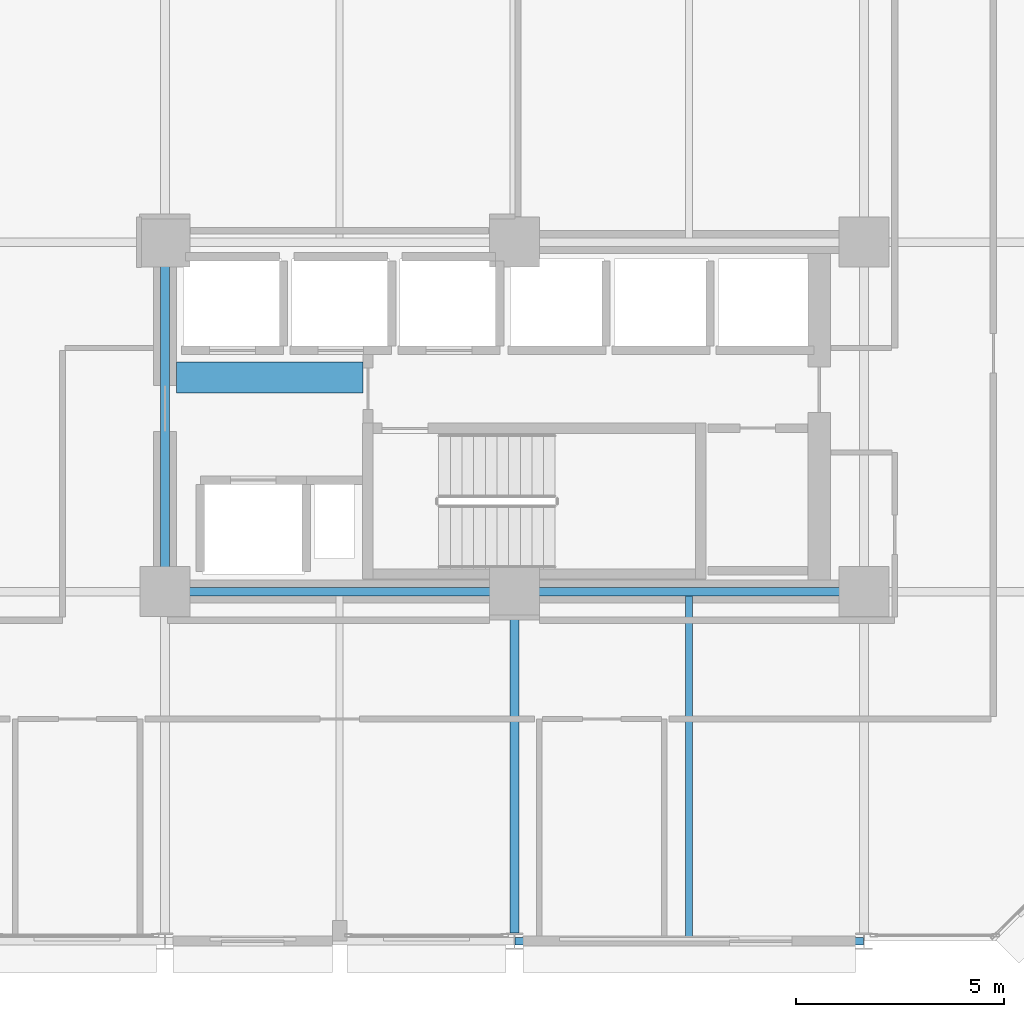
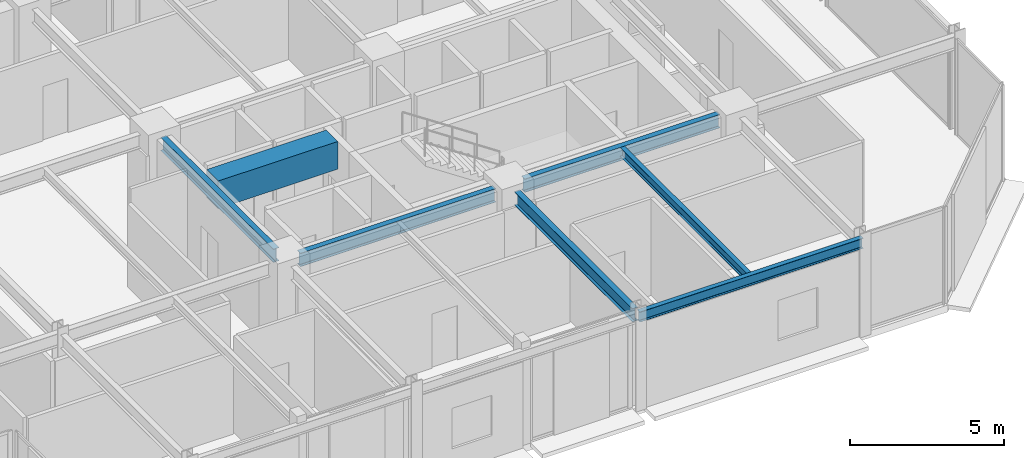
# One storey, part 7 of 30: 7 beams.
"""IFC4 building model written with IfcOpenShell, lengths in metres."""

from ifc_helpers import new_model, si_unit, direction, frame, origin, origin_2d, place, context, subcontext, project, spatial, rectangle, i_section, extrude, material, material_profile, profile_set, type_object, element, save


model = new_model("IFC4")

# Units and contexts
model_context = context("Model", 3, precision=1e-05, world=origin(), true_north=direction((0.0, 1.0)))
body_context = subcontext(model_context, "Body", "Model", "MODEL_VIEW")
ifc_project = project(units=[si_unit("LENGTHUNIT", "METRE"), si_unit("AREAUNIT", "SQUARE_METRE"), si_unit("VOLUMEUNIT", "CUBIC_METRE"), si_unit("PLANEANGLEUNIT", "RADIAN"), si_unit("MASSUNIT", "GRAM", prefix="KILO")], contexts=[model_context])

# Site, building, storey
site_placement = place(None, origin())
site = spatial("IfcSite", under=ifc_project, at=site_placement, CompositionType="ELEMENT")
building_placement = place(site_placement, origin())
building = spatial("IfcBuilding", under=site, at=building_placement, Name="Nerrivon Quay Data Exchange", CompositionType="ELEMENT")
storey_placement = place(building_placement, frame((0.0, 0.0, 117.199951171875)))
storey = spatial("IfcBuildingStorey", under=building, at=storey_placement, Name="L27", CompositionType="ELEMENT", Elevation=117.199951171875)

# Beams
ifc_material_1 = material(Name="Concrete S65 (65 MPa)", Category="concrete")
ifc_material_profile_1 = material_profile(ifc_material_1, rectangle(XDim=0.75, YDim=1.10009765625, at=origin_2d()), Name="RC-CB-750x1100")
ifc_profile_set_1 = profile_set([ifc_material_profile_1], Name="Concrete S65 (65 MPa)")
beam_type_1 = type_object("IfcBeamType", Name="BM-CB1-750x1100", PredefinedType="LINTEL", material=ifc_profile_set_1)
beam_1_placement = place(storey_placement, frame((17.074951171875, 13.550048828125, 3.275146484375), z_axis=(1.0, 0.0, 0.0), x_axis=(0.0, 1.0, 0.0)))
element("IfcBeam", 1, at=beam_1_placement, inside=storey, type_object=beam_type_1, Name="L27 East Core Coupling Beam", PredefinedType="LINTEL", context=body_context, shape_type="SweptSolid", body=[
    extrude(rectangle(XDim=0.75, YDim=1.10009765625, at=origin_2d()), origin(), (0.0, 0.0, 1.0), 4.47998046875),
])
ifc_material_2 = material(Name="Steel Grade 350", Category="steel")
ifc_material_profile_2 = material_profile(ifc_material_2, i_section(OverallWidth=0.208984375, OverallDepth=0.532958984375, WebThickness=0.01025390625, FlangeThickness=0.015625, FilletRadius=0.013916015625, at=origin_2d()), Name="530UB92.4")
ifc_profile_set_2 = profile_set([ifc_material_profile_2], Name="Steel Grade 350")
beam_type_2 = type_object("IfcBeamType", Name="BM-G3-530UB92", PredefinedType="BEAM", material=ifc_profile_set_2)
beam_2_placement = place(storey_placement, frame((17.340087890625, 8.39990234375, 3.55859375), z_axis=(1.0, 0.0, 0.0), x_axis=(0.0, 1.0, 0.0)))
element("IfcBeam", 2, at=beam_2_placement, inside=storey, type_object=beam_type_2, Name="L27 EW Girder Y=8.4 (16.8..25.2)", PredefinedType="BEAM", context=body_context, shape_type="SweptSolid", body=[
    extrude(i_section(OverallWidth=0.208984375, OverallDepth=0.532958984375, WebThickness=0.01025390625, FlangeThickness=0.015625, FilletRadius=0.013916015625, at=origin_2d()), origin(), (0.0, 0.0, 1.0), 7.31982421875),
])
beam_3_placement = place(storey_placement, frame((25.739990234375, 8.39990234375, 3.55859375), z_axis=(1.0, 0.0, 0.0), x_axis=(0.0, 1.0, 0.0)))
element("IfcBeam", 3, at=beam_3_placement, inside=storey, type_object=beam_type_2, Name="L27 EW Girder Y=8.4 (25.2..33.6)", PredefinedType="BEAM", context=body_context, shape_type="SweptSolid", body=[
    extrude(i_section(OverallWidth=0.208984375, OverallDepth=0.532958984375, WebThickness=0.01025390625, FlangeThickness=0.015625, FilletRadius=0.013916015625, at=origin_2d()), origin(), (0.0, 0.0, 1.0), 7.320068359375),
])
ifc_material_profile_3 = material_profile(ifc_material_2, i_section(OverallWidth=0.208984375, OverallDepth=0.528076171875, WebThickness=0.009521484375, FlangeThickness=0.01318359375, FilletRadius=0.013916015625, at=origin_2d()), Name="530UB82.0")
ifc_profile_set_3 = profile_set([ifc_material_profile_3], Name="Steel Grade 350")
beam_type_3 = type_object("IfcBeamType", Name="BM-G4-530UB82", PredefinedType="BEAM", material=ifc_profile_set_3)
beam_4_placement = place(storey_placement, frame((16.800048828125, 8.93994140625, 3.56103515625), z_axis=(0.0, 1.0, 0.0), x_axis=(-1.0, 0.0, 0.0)))
element("IfcBeam", 4, at=beam_4_placement, inside=storey, type_object=beam_type_3, Name="L27 NS Girder X=16.8 (8.4..16.8)", PredefinedType="BEAM", context=body_context, shape_type="SweptSolid", body=[
    extrude(i_section(OverallWidth=0.208984375, OverallDepth=0.528076171875, WebThickness=0.009521484375, FlangeThickness=0.01318359375, FilletRadius=0.013916015625, at=origin_2d()), origin(), (0.0, 0.0, 1.0), 7.320068359375),
])
beam_5_placement = place(storey_placement, frame((25.199951171875, 0.199951171875, 3.56103515625), z_axis=(0.0, 1.0, 0.0), x_axis=(-1.0, 0.0, 0.0)))
element("IfcBeam", 5, at=beam_5_placement, inside=storey, type_object=beam_type_3, Name="L27 NS Girder X=25.2 (0.0..8.4)", PredefinedType="BEAM", context=body_context, shape_type="SweptSolid", body=[
    extrude(i_section(OverallWidth=0.208984375, OverallDepth=0.528076171875, WebThickness=0.009521484375, FlangeThickness=0.01318359375, FilletRadius=0.013916015625, at=origin_2d()), origin(), (0.0, 0.0, 1.0), 7.66015625),
])
ifc_material_profile_4 = material_profile(ifc_material_2, i_section(OverallWidth=0.1708984375, OverallDepth=0.35595703125, WebThickness=0.00732421875, FlangeThickness=0.011474609375, FilletRadius=0.011474609375, at=origin_2d()), Name="360UB50.7")
ifc_profile_set_4 = profile_set([ifc_material_profile_4], Name="Steel Grade 350")
beam_type_4 = type_object("IfcBeamType", Name="BM-J4-360UB51", PredefinedType="JOIST", material=ifc_profile_set_4)
beam_6_placement = place(storey_placement, frame((29.39990234375, 0.089111328125, 3.64697265625), z_axis=(0.0, 1.0, 0.0), x_axis=(-1.0, 0.0, 0.0)))
element("IfcBeam", 6, at=beam_6_placement, inside=storey, type_object=beam_type_4, Name="L27 Secondary Joist X=29.4 (0.0..8.4)", PredefinedType="JOIST", context=body_context, shape_type="SweptSolid", body=[
    extrude(i_section(OverallWidth=0.1708984375, OverallDepth=0.35595703125, WebThickness=0.00732421875, FlangeThickness=0.011474609375, FilletRadius=0.011474609375, at=origin_2d()), origin(), (0.0, 0.0, 1.0), 8.206298828125),
])
ifc_material_profile_5 = material_profile(ifc_material_2, i_section(OverallWidth=0.177978515625, OverallDepth=0.403076171875, WebThickness=0.007568359375, FlangeThickness=0.010986328125, FilletRadius=0.011474609375, at=origin_2d()), Name="410UB53.7")
ifc_profile_set_5 = profile_set([ifc_material_profile_5], Name="Steel Grade 350")
beam_type_5 = type_object("IfcBeamType", Name="BM-SP2-410UB54", PredefinedType="SPANDREL", material=ifc_profile_set_5)
beam_7_placement = place(storey_placement, frame((25.21240234375, 0.0, 3.62353515625), z_axis=(1.0, 0.0, 0.0), x_axis=(0.0, 1.0, 0.0)))
element("IfcBeam", 7, at=beam_7_placement, inside=storey, type_object=beam_type_5, Name="L27 EW Girder Y=0.0 (25.2..33.6)", PredefinedType="SPANDREL", context=body_context, shape_type="SweptSolid", body=[
    extrude(i_section(OverallWidth=0.177978515625, OverallDepth=0.403076171875, WebThickness=0.007568359375, FlangeThickness=0.010986328125, FilletRadius=0.011474609375, at=origin_2d()), origin(), (0.0, 0.0, 1.0), 8.375),
])

save(model, "model.ifc")
